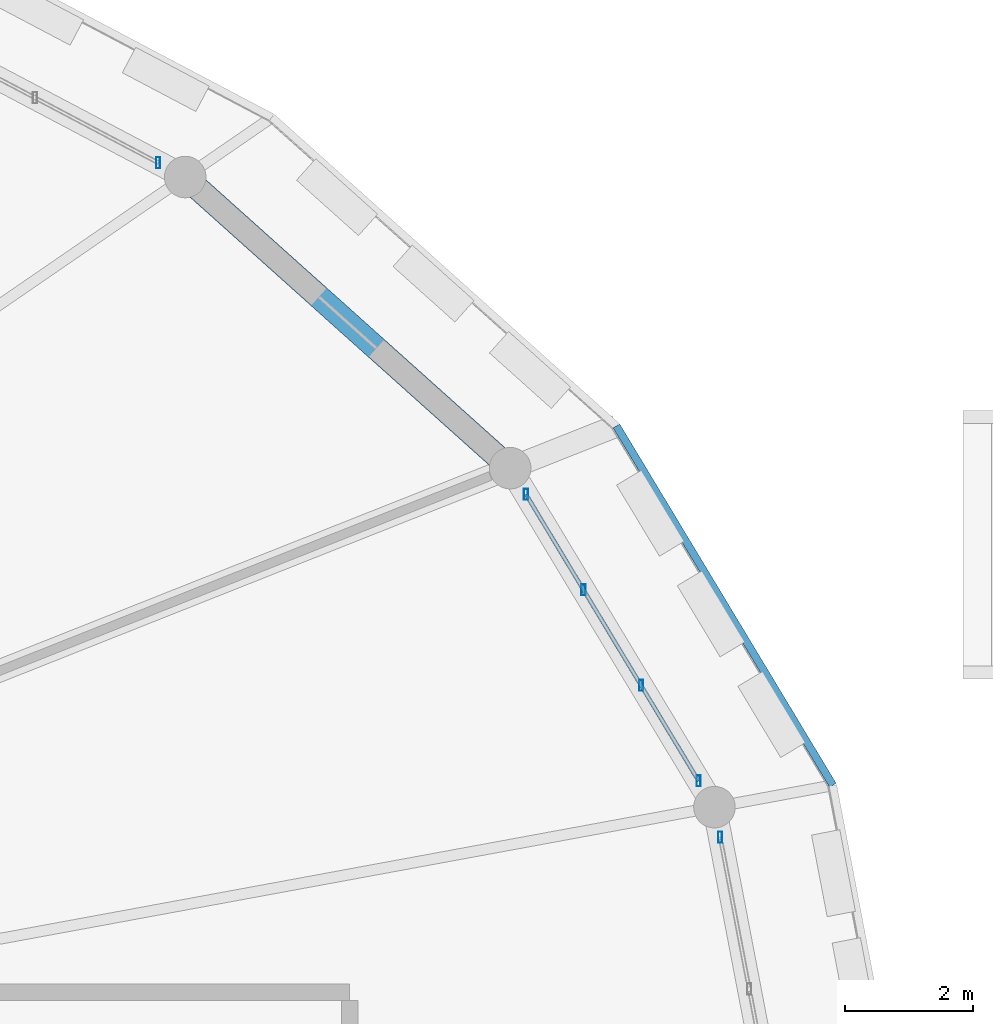
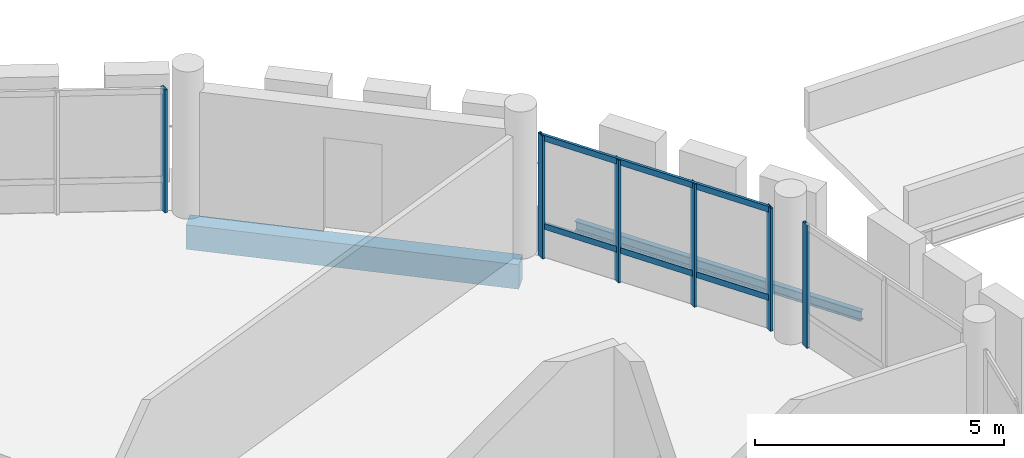
# One storey, part 49 of 93: 8 members, 2 beams, 3 elements without a shape of their own.
"""IFC4 building model written with IfcOpenShell, lengths in metres."""

from ifc_helpers import new_model, si_unit, direction, frame, origin, origin_2d, place, context, subcontext, project, spatial, rectangle, hollow_rectangle, i_section, extrude, material, material_profile, profile_set, type_object, element, aggregate, save


model = new_model("IFC4")

# Units and contexts
model_context = context("Model", 3, precision=1e-05, world=origin(), true_north=direction((0.0, 1.0)))
body_context = subcontext(model_context, "Body", "Model", "MODEL_VIEW")
ifc_project = project(units=[si_unit("LENGTHUNIT", "METRE"), si_unit("AREAUNIT", "SQUARE_METRE"), si_unit("VOLUMEUNIT", "CUBIC_METRE"), si_unit("PLANEANGLEUNIT", "RADIAN"), si_unit("MASSUNIT", "GRAM", prefix="KILO")], contexts=[model_context])

# Site, building, storey
site_placement = place(None, origin())
site = spatial("IfcSite", under=ifc_project, at=site_placement, CompositionType="ELEMENT")
building_placement = place(site_placement, origin())
building = spatial("IfcBuilding", under=site, at=building_placement, Name="Zornivar Specialist Clinic", CompositionType="ELEMENT")
storey_placement = place(building_placement, frame((0.0, 0.0, 8.39990234375)))
storey = spatial("IfcBuildingStorey", under=building, at=storey_placement, Name="L02", CompositionType="ELEMENT", Elevation=8.39990234375)

# Beams
ifc_material_1 = material(Name="Concrete C30/37", Category="concrete")
ifc_material_profile_1 = material_profile(ifc_material_1, rectangle(XDim=0.3701171875, YDim=0.60009765625, at=origin_2d()), Name="RC 370x600")
ifc_profile_set_1 = profile_set([ifc_material_profile_1], Name="Concrete C30/37")
beam_type_1 = type_object("IfcBeamType", Name="BM-RC-SPANDREL-370x600", PredefinedType="SPANDREL", material=ifc_profile_set_1)
beam_1_placement = place(storey_placement, frame((121.31298828125, 68.60009765625, -0.539794921875), z_axis=(-0.744853105459, 0.66722848507, 0.0), x_axis=(-0.66722848507, -0.744853105459, 0.0)))
element("IfcBeam", 1, at=beam_1_placement, inside=storey, type_object=beam_type_1, Name="bm:V1:L02:outring:02", PredefinedType="SPANDREL", context=body_context, shape_type="SweptSolid", body=[
    extrude(rectangle(XDim=0.3701171875, YDim=0.60009765625, at=origin_2d()), origin(), (0.0, 0.0, 1.0), 6.828125),
])
ifc_material_2 = material(Name="Steel S355J2", Category="steel")
ifc_material_profile_2 = material_profile(ifc_material_2, i_section(OverallWidth=0.1201171875, OverallDepth=0.239990234375, WebThickness=0.006103515625, FlangeThickness=0.009765625, FilletRadius=0.014892578125, at=origin_2d()), Name="IPE 240")
ifc_profile_set_2 = profile_set([ifc_material_profile_2], Name="Steel S355J2")
beam_type_2 = type_object("IfcBeamType", Name="BM-STL-IPE240", PredefinedType="JOIST", material=ifc_profile_set_2)
beam_2_placement = place(storey_placement, frame((126.364013671875, 63.635986328125, -0.35986328125), z_axis=(-0.516009675347, 0.856582754291, 0.0), x_axis=(-0.856582754291, -0.516009675347, 0.0)))
element("IfcBeam", 2, at=beam_2_placement, inside=storey, type_object=beam_type_2, Name="bm:V1:L02:balring:01", PredefinedType="JOIST", context=body_context, shape_type="SweptSolid", body=[
    extrude(i_section(OverallWidth=0.1201171875, OverallDepth=0.239990234375, WebThickness=0.006103515625, FlangeThickness=0.009765625, FilletRadius=0.014892578125, at=origin_2d()), origin(), (0.0, 0.0, 1.0), 6.565673828125),
])

# Curtain wall, member
ifc_material_3 = material(Name="Aluminium and Low-E Glass Curtain Wall", Category="aluminium")
curtain_wall_type = type_object("IfcCurtainWallType", Name="CW-DRUM-FACET", PredefinedType="NOTDEFINED", material=ifc_material_3)
curtain_wall_1_placement = place(storey_placement, origin())
curtain_wall_1 = element("IfcCurtainWall", 3, at=curtain_wall_1_placement, inside=storey, type_object=curtain_wall_type, Name="cw:V1:L02:c00", PredefinedType="NOTDEFINED")
ifc_material_4 = material(Name="Aluminium AW-6060", Category="aluminium")
ifc_material_profile_3 = material_profile(ifc_material_4, hollow_rectangle(XDim=0.06494140625, YDim=0.175048828125, WallThickness=0.00439453125, at=origin_2d()), Name="ALU 65x175x4.5")
ifc_profile_set_3 = profile_set([ifc_material_profile_3], Name="Aluminium AW-6060")
member_type_1 = type_object("IfcMemberType", Name="CWM-MUL-175", PredefinedType="MULLION", material=ifc_profile_set_3)
member_1_placement = place(storey_placement, frame((124.60009765625, 62.822998046875, 0.0), z_axis=(0.0, 0.0, 1.0), x_axis=(1.0, 0.0, 0.0)))
member_1 = element("IfcMember", 4, at=member_1_placement, type_object=member_type_1, Name="cw:V1:L02:c00:mul:2", PredefinedType="MULLION", context=body_context, shape_type="SweptSolid", body=[
    extrude(hollow_rectangle(XDim=0.06494140625, YDim=0.175048828125, WallThickness=0.00439453125, at=origin_2d()), origin(), (0.0, 0.0, 1.0), 3.010009765625),
])
aggregate(curtain_wall_1, [member_1])

# Curtain wall, members
curtain_wall_2_placement = place(storey_placement, origin())
curtain_wall_2 = element("IfcCurtainWall", 5, at=curtain_wall_2_placement, inside=storey, type_object=curtain_wall_type, Name="cw:V1:L02:c01", PredefinedType="NOTDEFINED")
member_2_placement = place(storey_placement, frame((124.261962890625, 63.705078125, 0.0), z_axis=(0.0, 0.0, 1.0), x_axis=(1.0, 0.0, 0.0)))
member_2 = element("IfcMember", 6, at=member_2_placement, type_object=member_type_1, Name="cw:V1:L02:c01:mul:0", PredefinedType="MULLION", context=body_context, shape_type="SweptSolid", body=[
    extrude(hollow_rectangle(XDim=0.06494140625, YDim=0.175048828125, WallThickness=0.00439453125, at=origin_2d()), origin(), (0.0, 0.0, 1.0), 3.010009765625),
])
member_3_placement = place(storey_placement, frame((123.362060546875, 65.199951171875, 0.0), z_axis=(0.0, 0.0, 1.0), x_axis=(1.0, 0.0, 0.0)))
member_3 = element("IfcMember", 7, at=member_3_placement, type_object=member_type_1, Name="cw:V1:L02:c01:mul:1", PredefinedType="MULLION", context=body_context, shape_type="SweptSolid", body=[
    extrude(hollow_rectangle(XDim=0.06494140625, YDim=0.175048828125, WallThickness=0.00439453125, at=origin_2d()), origin(), (0.0, 0.0, 1.0), 3.010009765625),
])
member_4_placement = place(storey_placement, frame((122.4609375, 66.695068359375, 0.0), z_axis=(0.0, 0.0, 1.0), x_axis=(1.0, 0.0, 0.0)))
member_4 = element("IfcMember", 8, at=member_4_placement, type_object=member_type_1, Name="cw:V1:L02:c01:mul:2", PredefinedType="MULLION", context=body_context, shape_type="SweptSolid", body=[
    extrude(hollow_rectangle(XDim=0.06494140625, YDim=0.175048828125, WallThickness=0.00439453125, at=origin_2d()), origin(), (0.0, 0.0, 1.0), 3.010009765625),
])
member_5_placement = place(storey_placement, frame((121.56103515625, 68.18896484375, 0.0), z_axis=(0.0, 0.0, 1.0), x_axis=(1.0, 0.0, 0.0)))
member_5 = element("IfcMember", 9, at=member_5_placement, type_object=member_type_1, Name="cw:V1:L02:c01:mul:3", PredefinedType="MULLION", context=body_context, shape_type="SweptSolid", body=[
    extrude(hollow_rectangle(XDim=0.06494140625, YDim=0.175048828125, WallThickness=0.00439453125, at=origin_2d()), origin(), (0.0, 0.0, 1.0), 3.010009765625),
])

# Curtain wall, member
curtain_wall_3_placement = place(storey_placement, origin())
curtain_wall_3 = element("IfcCurtainWall", 10, at=curtain_wall_3_placement, inside=storey, type_object=curtain_wall_type, Name="cw:V1:L02:c03", PredefinedType="NOTDEFINED")
member_6_placement = place(storey_placement, frame((115.802978515625, 73.3798828125, 0.0), z_axis=(0.0, 0.0, 1.0), x_axis=(1.0, 0.0, 0.0)))
member_6 = element("IfcMember", 11, at=member_6_placement, type_object=member_type_1, Name="cw:V1:L02:c03:mul:0", PredefinedType="MULLION", context=body_context, shape_type="SweptSolid", body=[
    extrude(hollow_rectangle(XDim=0.06494140625, YDim=0.175048828125, WallThickness=0.00439453125, at=origin_2d()), origin(), (0.0, 0.0, 1.0), 3.010009765625),
])
aggregate(curtain_wall_3, [member_6])

# Member
ifc_material_5 = material(Name="Aluminium AW-6060", Category="aluminium")
ifc_material_profile_4 = material_profile(ifc_material_5, hollow_rectangle(XDim=0.06005859375, YDim=0.14501953125, WallThickness=0.00390625, at=origin_2d()), Name="ALU 60x145x4")
ifc_profile_set_4 = profile_set([ifc_material_profile_4], Name="Aluminium AW-6060")
member_type_2 = type_object("IfcMemberType", Name="CWM-TRN-145", PredefinedType="USERDEFINED", material=ifc_profile_set_4)
member_7_placement = place(storey_placement, frame((124.261962890625, 63.705078125, 0.783203125), z_axis=(-0.515983359641, 0.856598606451, 0.0), x_axis=(-0.856598606451, -0.515983359641, 0.0)))
member_7 = element("IfcMember", 12, at=member_7_placement, type_object=member_type_2, Name="cw:V1:L02:c01:trn:0", ObjectType="TRANSOM", PredefinedType="USERDEFINED", context=body_context, shape_type="SweptSolid", body=[
    extrude(hollow_rectangle(XDim=0.06005859375, YDim=0.14501953125, WallThickness=0.00390625, at=origin_2d()), origin(), (0.0, 0.0, 1.0), 5.234619140625),
])

member_8_placement = place(storey_placement, frame((124.261962890625, 63.705078125, 2.945068359375), z_axis=(-0.515983359641, 0.856598606451, 0.0), x_axis=(-0.856598606451, -0.515983359641, 0.0)))
member_8 = element("IfcMember", 13, at=member_8_placement, type_object=member_type_2, Name="cw:V1:L02:c01:trn:1", ObjectType="TRANSOM", PredefinedType="USERDEFINED", context=body_context, shape_type="SweptSolid", body=[
    extrude(hollow_rectangle(XDim=0.06005859375, YDim=0.14501953125, WallThickness=0.00390625, at=origin_2d()), origin(), (0.0, 0.0, 1.0), 5.234619140625),
])

aggregate(curtain_wall_2, [member_2, member_3, member_4, member_5, member_7, member_8])

save(model, "model.ifc")
